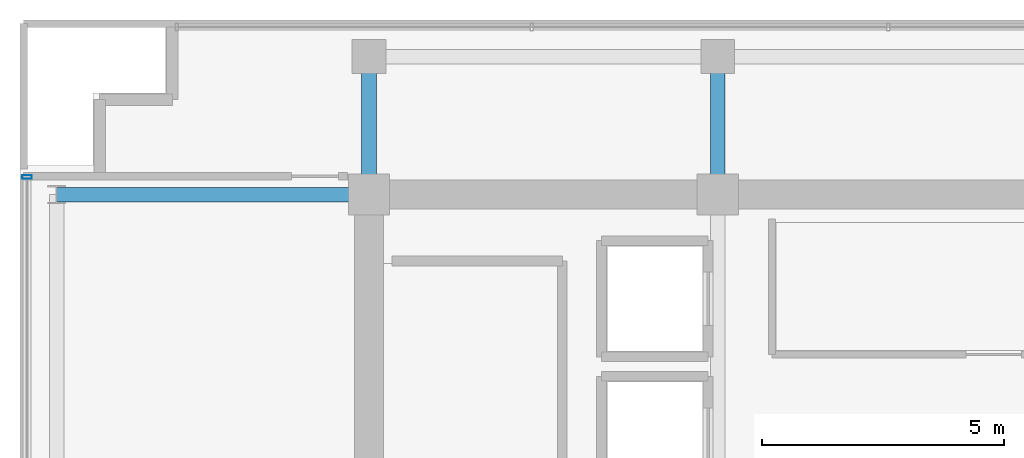
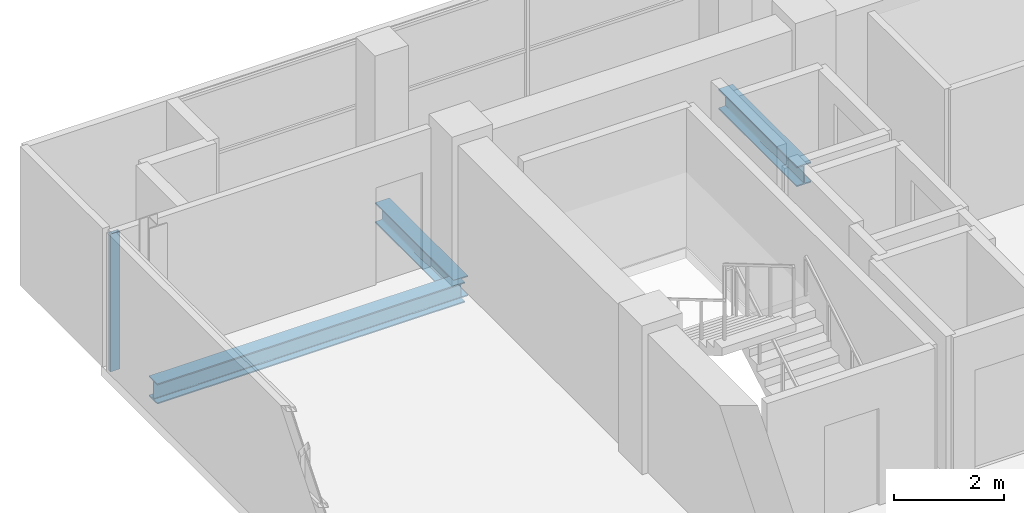
# One storey, part 11 of 29: 3 beams, 1 member, 1 element without a shape of its own.
"""IFC4 building model written with IfcOpenShell, lengths in metres."""

from ifc_helpers import new_model, si_unit, direction, frame, origin, origin_2d, place, context, subcontext, project, spatial, hollow_rectangle, i_section, extrude, source, transform, mapped, material, layer, layer_set, material_profile, profile_set, type_object, element, aggregate, save


model = new_model("IFC4")

# Units and contexts
model_context = context("Model", 3, precision=1e-05, world=origin(), true_north=direction((0.0, 1.0)))
body_context = subcontext(model_context, "Body", "Model", "MODEL_VIEW")
ifc_project = project(units=[si_unit("LENGTHUNIT", "METRE"), si_unit("AREAUNIT", "SQUARE_METRE"), si_unit("VOLUMEUNIT", "CUBIC_METRE"), si_unit("PLANEANGLEUNIT", "RADIAN"), si_unit("MASSUNIT", "GRAM", prefix="KILO")], contexts=[model_context])

# Site, building, storey
site_placement = place(None, origin())
site = spatial("IfcSite", under=ifc_project, at=site_placement, CompositionType="ELEMENT")
building_placement = place(site_placement, origin())
building = spatial("IfcBuilding", under=site, at=building_placement, Name="Zarnakvel Exchange Tower", CompositionType="ELEMENT")
storey_placement = place(building_placement, frame((0.0, 0.0, 265.0)))
storey = spatial("IfcBuildingStorey", under=building, at=storey_placement, Name="L75", CompositionType="ELEMENT", Elevation=265.0)

# Beams
ifc_material_1 = material(Name="Steel S355", Category="steel")
ifc_material_profile_1 = material_profile(ifc_material_1, i_section(OverallWidth=0.300048828125, OverallDepth=0.449951171875, WebThickness=0.013916015625, FlangeThickness=0.02587890625, FilletRadius=0.027099609375, at=origin_2d()))
ifc_profile_set_1 = profile_set([ifc_material_profile_1], Name="Steel S355")
beam_type = type_object("IfcBeamType", Name="G-07", PredefinedType="BEAM", material=ifc_profile_set_1)
beam_placement = place(storey_placement, frame((-20.85009765625, 13.5, -0.449951171875), z_axis=(1.0, 0.0, 0.0), x_axis=(0.0, 1.0, 0.0)))
element("IfcBeam", 1, at=beam_placement, inside=storey, type_object=beam_type, Name="L75 Tower E-W Frame Beam", PredefinedType="BEAM", context=body_context, shape_type="SweptSolid", body=[
    extrude(i_section(OverallWidth=0.300048828125, OverallDepth=0.449951171875, WebThickness=0.013916015625, FlangeThickness=0.02587890625, FilletRadius=0.027099609375, at=origin_2d()), origin(), (0.0, 0.0, 1.0), 6.4501953125),
])
for number, where, z_axis, x_axis, name in (
    (2, (-14.39990234375, 13.5, -0.449951171875), (0.0, 1.0, 0.0), (-1.0, 0.0, 0.0), "L75 Tower N-S Frame Beam"),
    (3, (-7.199951171875, 13.5, -0.449951171875), (0.0, 1.0, 0.0), (-1.0, 0.0, 0.0), "L75 Tower N-S Frame Beam"),
):
    element("IfcBeam", number, at=place(storey_placement, frame(where, z_axis=z_axis, x_axis=x_axis)), inside=storey, type_object=beam_type, Name=name, PredefinedType="BEAM", context=body_context, shape_type="SweptSolid", body=[
        extrude(i_section(OverallWidth=0.300048828125, OverallDepth=0.449951171875, WebThickness=0.013916015625, FlangeThickness=0.02587890625, FilletRadius=0.027099609375, at=origin_2d()), origin(), (0.0, 0.0, 1.0), 2.85009765625),
    ])

# Curtain wall, member
ifc_material_2 = material(Name="Architectural Bronze Anodised Aluminium", Category="aluminium")
ifc_layer = layer(ifc_material_2, 0.199951171875)
ifc_layer_set = layer_set([ifc_layer], Name="Architectural Bronze Anodised Aluminium")
curtain_wall_type = type_object("IfcCurtainWallType", Name="CW-04", PredefinedType="NOTDEFINED", material=ifc_layer_set)
curtain_wall_placement = place(storey_placement, origin())
curtain_wall = element("IfcCurtainWall", 4, at=curtain_wall_placement, inside=storey, type_object=curtain_wall_type, Name="L75 Curtain Wall CW-L75-W1 (CW-04)", PredefinedType="NOTDEFINED")
ifc_material_profile_2 = material_profile(ifc_material_2, hollow_rectangle(XDim=0.199951171875, YDim=0.074951171875, WallThickness=0.0048828125, at=origin_2d()))
ifc_profile_set_2 = profile_set([ifc_material_profile_2], Name="Architectural Bronze Anodised Aluminium")
member_type = type_object("IfcMemberType", Name="CWM-04", PredefinedType="MULLION", material=ifc_profile_set_2)
shared_shape = source(origin(), body_context, "Body", "SweptSolid", [
    extrude(hollow_rectangle(XDim=0.199951171875, YDim=0.074951171875, WallThickness=0.0048828125, at=origin_2d()), origin(), (0.0, 0.0, 1.0), 3.054931640625),
])
member_placement = place(storey_placement, frame((-21.4599609375, 13.862548828125, 0.0), z_axis=(0.0, 0.0, 1.0), x_axis=(-1.0, 0.0, 0.0)))
member = element("IfcMember", 5, at=member_placement, type_object=member_type, Name="CW-04 mullion 5", PredefinedType="MULLION", context=body_context, shape_type="MappedRepresentation", body=[
    mapped(shared_shape, transform((0.0, 0.0, 0.0), x_axis=(1.0, 0.0, 0.0), y_axis=(0.0, 1.0, 0.0), z_axis=(0.0, 0.0, 1.0), scale=1.0)),
])
aggregate(curtain_wall, [member])

save(model, "model.ifc")
